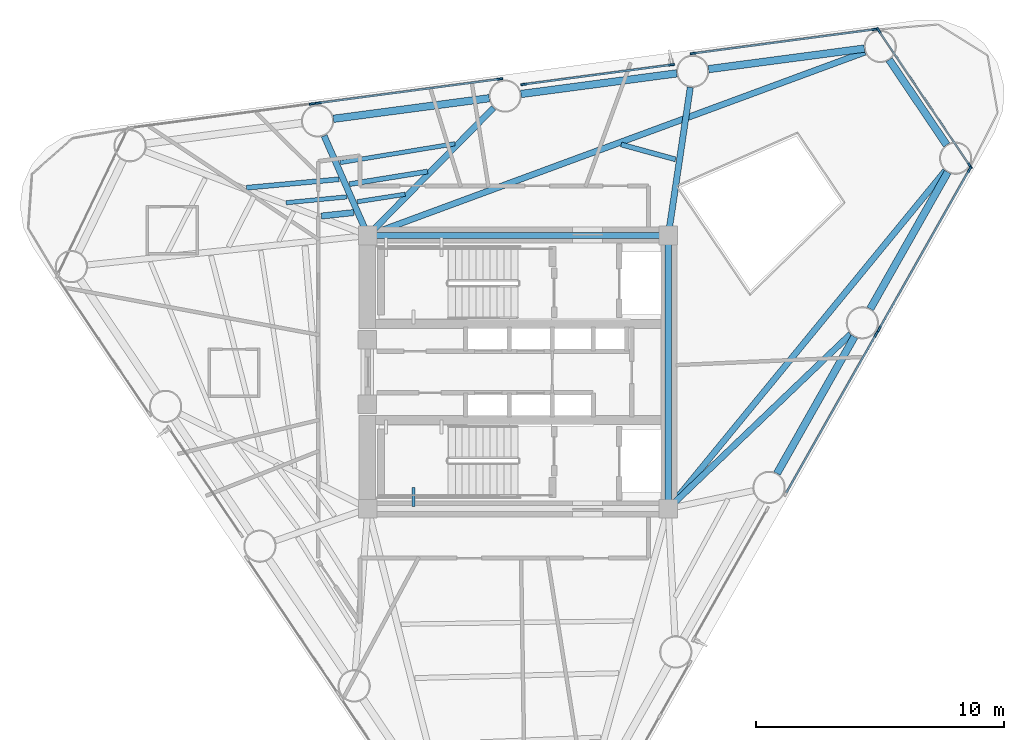
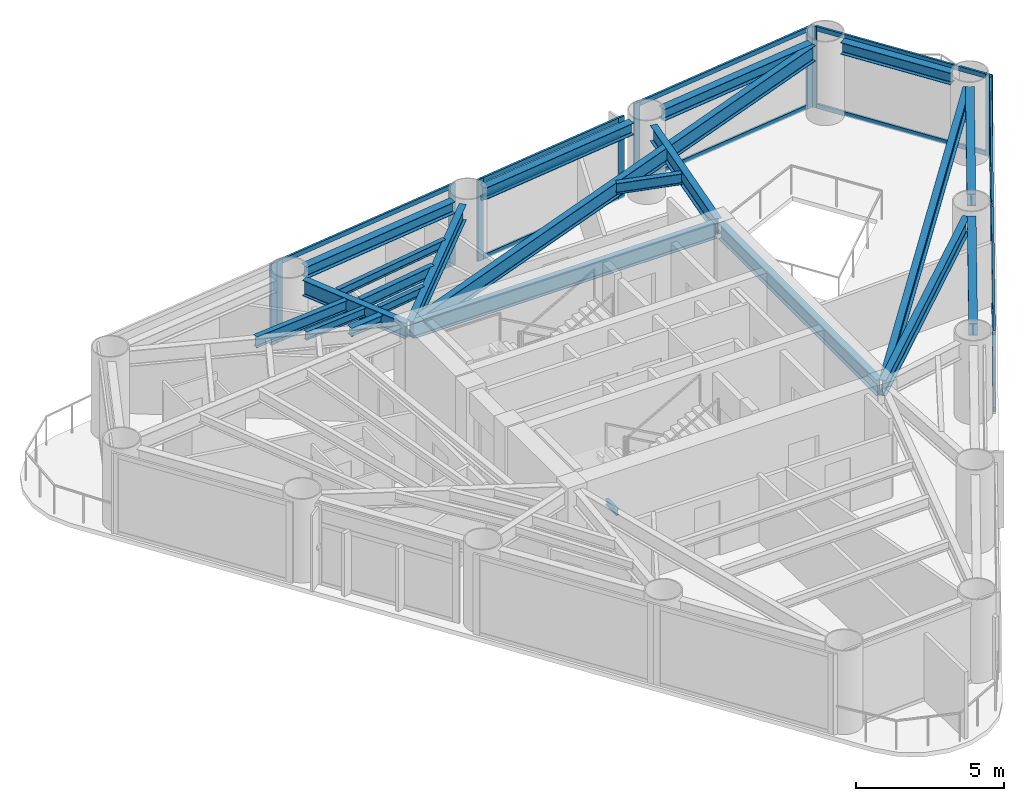
# One storey, part 3 of 9: 25 members, 22 beams, 7 elements without a shape of their own.
"""IFC4 building model written with IfcOpenShell, lengths in metres."""

from ifc_helpers import new_model, si_unit, direction, frame, origin, origin_2d, place, context, subcontext, project, spatial, rectangle, i_section, extrude, source, transform, mapped, material, layer, layer_set, material_profile, profile_set, type_object, element, aggregate, save


model = new_model("IFC4")

# Units and contexts
model_context = context("Model", 3, precision=1e-05, world=origin(), true_north=direction((0.0, 1.0)))
body_context = subcontext(model_context, "Body", "Model", "MODEL_VIEW")
ifc_project = project(units=[si_unit("LENGTHUNIT", "METRE"), si_unit("AREAUNIT", "SQUARE_METRE"), si_unit("VOLUMEUNIT", "CUBIC_METRE"), si_unit("PLANEANGLEUNIT", "RADIAN"), si_unit("MASSUNIT", "GRAM", prefix="KILO")], contexts=[model_context])

# Site, building, storey
site_placement = place(None, origin())
site = spatial("IfcSite", under=ifc_project, at=site_placement, CompositionType="ELEMENT")
building_placement = place(site_placement, origin())
building = spatial("IfcBuilding", under=site, at=building_placement, Name="Yunling Apex Tower", CompositionType="ELEMENT")
storey_placement = place(building_placement, frame((0.0, 0.0, 165.64990234375)))
storey = spatial("IfcBuildingStorey", under=building, at=storey_placement, Name="L40", CompositionType="ELEMENT", Elevation=165.64990234375)

# Beams
ifc_material_1 = material(Name="Steel Q355B", Category="steel")
ifc_material_profile_1 = material_profile(ifc_material_1, i_section(OverallWidth=0.125, OverallDepth=0.25, WebThickness=0.006103515625, FlangeThickness=0.009033203125, FilletRadius=0.011962890625, at=origin_2d()))
ifc_profile_set_1 = profile_set([ifc_material_profile_1], Name="Steel Q355B")
beam_type_1 = type_object("IfcBeamType", Name="BL-LNT-1", PredefinedType="LINTEL", material=ifc_profile_set_1)
shared_shape_1 = source(origin(), body_context, "Body", "SweptSolid", [
    extrude(i_section(OverallWidth=0.125, OverallDepth=0.25, WebThickness=0.006103515625, FlangeThickness=0.009033203125, FilletRadius=0.011962890625, at=origin_2d()), origin(), (0.0, 0.0, 1.0), 0.760009765625),
])
beam_1_placement = place(storey_placement, frame((-4.205078125, -5.419921875, 1.405029296875), z_axis=(0.0, 1.0, 0.0), x_axis=(-1.0, 0.0, 0.0)))
element("IfcBeam", 1, at=beam_1_placement, inside=storey, type_object=beam_type_1, Name="L40 ST-2 Landing Bearing Corbel 1-3", PredefinedType="LINTEL", context=body_context, shape_type="MappedRepresentation", body=[
    mapped(shared_shape_1, transform((0.0, 0.0, 0.0), scale=1.0)),
])
ifc_material_profile_2 = material_profile(ifc_material_1, i_section(OverallWidth=0.25, OverallDepth=0.64990234375, WebThickness=0.011962890625, FlangeThickness=0.02001953125, FilletRadius=0.02392578125, at=origin_2d()))
ifc_profile_set_2 = profile_set([ifc_material_profile_2], Name="Steel Q355B")
beam_type_2 = type_object("IfcBeamType", Name="BG-PRI-4", PredefinedType="USERDEFINED", material=ifc_profile_set_2)
shared_shape_2 = source(origin(), body_context, "Body", "SweptSolid", [
    extrude(i_section(OverallWidth=0.25, OverallDepth=0.64990234375, WebThickness=0.011962890625, FlangeThickness=0.02001953125, FilletRadius=0.02392578125, at=origin_2d()), origin(), (0.0, 0.0, 1.0), 11.7998046875),
])
beam_2_placement = place(storey_placement, frame((5.89990234375, 5.5, 2.945068359375), z_axis=(-1.0, 0.0, 0.0), x_axis=(0.0, -1.0, 0.0)))
element("IfcBeam", 2, at=beam_2_placement, inside=storey, type_object=beam_type_2, Name="L40 Core Ring Tie Beam 3", ObjectType="GIRDER", PredefinedType="USERDEFINED", context=body_context, shape_type="MappedRepresentation", body=[
    mapped(shared_shape_2, transform((0.0, 0.0, 0.0), scale=1.0)),
])
shared_shape_3 = source(origin(), body_context, "Body", "SweptSolid", [
    extrude(i_section(OverallWidth=0.25, OverallDepth=0.64990234375, WebThickness=0.011962890625, FlangeThickness=0.02001953125, FilletRadius=0.02392578125, at=origin_2d()), origin(), (0.0, 0.0, 1.0), 10.7001953125),
])
beam_3_placement = place(storey_placement, frame((6.050048828125, -5.35009765625, 2.945068359375), z_axis=(0.0, 1.0, 0.0), x_axis=(-1.0, 0.0, 0.0)))
element("IfcBeam", 3, at=beam_3_placement, inside=storey, type_object=beam_type_2, Name="L40 Core Ring Tie Beam 2", ObjectType="GIRDER", PredefinedType="USERDEFINED", context=body_context, shape_type="MappedRepresentation", body=[
    mapped(shared_shape_3, transform((0.0, 0.0, 0.0), scale=1.0)),
])
ifc_material_profile_3 = material_profile(ifc_material_1, i_section(OverallWidth=0.300048828125, OverallDepth=0.489990234375, WebThickness=0.010986328125, FlangeThickness=0.01806640625, FilletRadius=0.02197265625, at=origin_2d()))
ifc_profile_set_3 = profile_set([ifc_material_profile_3], Name="Steel Q355B")
beam_type_3 = type_object("IfcBeamType", Name="BP-SPN-2", PredefinedType="SPANDREL", material=ifc_profile_set_3)
shared_shape_4 = source(origin(), body_context, "Body", "SweptSolid", [
    extrude(i_section(OverallWidth=0.300048828125, OverallDepth=0.489990234375, WebThickness=0.010986328125, FlangeThickness=0.01806640625, FilletRadius=0.02197265625, at=origin_2d()), origin(), (0.0, 0.0, 1.0), 6.332763671875),
])
beam_4_placement = place(storey_placement, frame((10.426513671875, -4.087646484375, 3.025146484375), z_axis=(0.493042725972, 0.870005097897, 0.0), x_axis=(-0.870005097897, 0.493042725972, 0.0)))
element("IfcBeam", 4, at=beam_4_placement, inside=storey, type_object=beam_type_3, Name="L40 Perimeter Spandrel Beam 3", PredefinedType="SPANDREL", context=body_context, shape_type="MappedRepresentation", body=[
    mapped(shared_shape_4, transform((0.0, 0.0, 0.0), scale=1.0)),
])
shared_shape_5 = source(origin(), body_context, "Body", "SweptSolid", [
    extrude(i_section(OverallWidth=0.300048828125, OverallDepth=0.489990234375, WebThickness=0.010986328125, FlangeThickness=0.01806640625, FilletRadius=0.02197265625, at=origin_2d()), origin(), (0.0, 0.0, 1.0), 6.33251953125),
])
for number, where, z_axis, x_axis, name in (
    (5, (14.183837890625, 2.54248046875, 3.025146484375), (0.493030081742, 0.870012263418, 0.0), (-0.870012263418, 0.493030081742, 0.0), "L40 Perimeter Spandrel Beam 4"),
    (6, (13.948486328125, 13.029541015625, 3.025146484375), (-0.991351373324, -0.131234349957, 0.0), (0.131234349957, -0.991351373324, 0.0), "L40 Perimeter Spandrel Beam 6"),
    (7, (6.393798828125, 12.029541015625, 3.025146484375), (-0.991351373324, -0.131234349957, 0.0), (0.131234349957, -0.991351373324, 0.0), "L40 Perimeter Spandrel Beam 7"),
    (8, (-1.160888671875, 11.029541015625, 3.025146484375), (-0.991356388343, -0.131196460665, 0.0), (0.131196460665, -0.991356388343, 0.0), "L40 Perimeter Spandrel Beam 8"),
):
    element("IfcBeam", number, at=place(storey_placement, frame(where, z_axis=z_axis, x_axis=x_axis)), inside=storey, type_object=beam_type_3, Name=name, PredefinedType="SPANDREL", context=body_context, shape_type="MappedRepresentation", body=[
        mapped(shared_shape_5, transform((0.0, 0.0, 0.0), scale=1.0)),
    ])
shared_shape_6 = source(origin(), body_context, "Body", "SweptSolid", [
    extrude(i_section(OverallWidth=0.300048828125, OverallDepth=0.489990234375, WebThickness=0.010986328125, FlangeThickness=0.01806640625, FilletRadius=0.02197265625, at=origin_2d()), origin(), (0.0, 0.0, 1.0), 4.142333984375),
])
beam_5_placement = place(storey_placement, frame((17.263427734375, 9.14599609375, 3.025146484375), z_axis=(-0.559207616177, 0.829027648519, 0.0), x_axis=(-0.829027648519, -0.559207616177, 0.0)))
element("IfcBeam", 9, at=beam_5_placement, inside=storey, type_object=beam_type_3, Name="L40 Perimeter Spandrel Beam 5", PredefinedType="SPANDREL", context=body_context, shape_type="MappedRepresentation", body=[
    mapped(shared_shape_6, transform((0.0, 0.0, 0.0), scale=1.0)),
])
shared_shape_7 = source(origin(), body_context, "Body", "SweptSolid", [
    extrude(i_section(OverallWidth=0.25, OverallDepth=0.64990234375, WebThickness=0.011962890625, FlangeThickness=0.02001953125, FilletRadius=0.02392578125, at=origin_2d()), origin(), (0.0, 0.0, 1.0), 10.08203125),
])
beam_6_placement = place(storey_placement, frame((13.39111328125, 1.527099609375, 2.945068359375), z_axis=(-0.722387273854, -0.691488703143, 0.0), x_axis=(0.691488703143, -0.722387273854, 0.0)))
element("IfcBeam", 10, at=beam_6_placement, inside=storey, type_object=beam_type_2, Name="L40 Radial Primary Girder R04", ObjectType="GIRDER", PredefinedType="USERDEFINED", context=body_context, shape_type="MappedRepresentation", body=[
    mapped(shared_shape_7, transform((0.0, 0.0, 0.0), scale=1.0)),
])
shared_shape_8 = source(origin(), body_context, "Body", "SweptSolid", [
    extrude(i_section(OverallWidth=0.25, OverallDepth=0.64990234375, WebThickness=0.011962890625, FlangeThickness=0.02001953125, FilletRadius=0.02392578125, at=origin_2d()), origin(), (0.0, 0.0, 1.0), 17.512939453125),
])
beam_7_placement = place(storey_placement, frame((17.206298828125, 8.103271484375, 2.945068359375), z_axis=(-0.634143770781, -0.773215156331, 0.0), x_axis=(0.773215156331, -0.634143770781, 0.0)))
element("IfcBeam", 11, at=beam_7_placement, inside=storey, type_object=beam_type_2, Name="L40 Radial Primary Girder R05", ObjectType="GIRDER", PredefinedType="USERDEFINED", context=body_context, shape_type="MappedRepresentation", body=[
    mapped(shared_shape_8, transform((0.0, 0.0, 0.0), scale=1.0)),
])
shared_shape_9 = source(origin(), body_context, "Body", "SweptSolid", [
    extrude(i_section(OverallWidth=0.25, OverallDepth=0.64990234375, WebThickness=0.011962890625, FlangeThickness=0.02001953125, FilletRadius=0.02392578125, at=origin_2d()), origin(), (0.0, 0.0, 1.0), 21.258544921875),
])
beam_8_placement = place(storey_placement, frame((13.969482421875, 12.88623046875, 2.945068359375), z_axis=(-0.938179289615, -0.346149708274, 0.0), x_axis=(0.346149708274, -0.938179289615, 0.0)))
element("IfcBeam", 12, at=beam_8_placement, inside=storey, type_object=beam_type_2, Name="L40 Radial Primary Girder R06", ObjectType="GIRDER", PredefinedType="USERDEFINED", context=body_context, shape_type="MappedRepresentation", body=[
    mapped(shared_shape_9, transform((0.0, 0.0, 0.0), scale=1.0)),
])
shared_shape_10 = source(origin(), body_context, "Body", "SweptSolid", [
    extrude(i_section(OverallWidth=0.25, OverallDepth=0.64990234375, WebThickness=0.011962890625, FlangeThickness=0.02001953125, FilletRadius=0.02392578125, at=origin_2d()), origin(), (0.0, 0.0, 1.0), 5.948486328125),
])
beam_9_placement = place(storey_placement, frame((6.935546875, 11.463134765625, 2.945068359375), z_axis=(-0.146889273353, -0.989152941346, 0.0), x_axis=(0.989152941346, -0.146889273353, 0.0)))
element("IfcBeam", 13, at=beam_9_placement, inside=storey, type_object=beam_type_2, Name="L40 Radial Primary Girder R07", ObjectType="GIRDER", PredefinedType="USERDEFINED", context=body_context, shape_type="MappedRepresentation", body=[
    mapped(shared_shape_10, transform((0.0, 0.0, 0.0), scale=1.0)),
])
shared_shape_11 = source(origin(), body_context, "Body", "SweptSolid", [
    extrude(i_section(OverallWidth=0.25, OverallDepth=0.64990234375, WebThickness=0.011962890625, FlangeThickness=0.02001953125, FilletRadius=0.02392578125, at=origin_2d()), origin(), (0.0, 0.0, 1.0), 7.140625),
])
beam_10_placement = place(storey_placement, frame((-0.984130859375, 10.645263671875, 2.945068359375), z_axis=(-0.701580749748, -0.712589960344, 0.0), x_axis=(0.712589960344, -0.701580749748, 0.0)))
element("IfcBeam", 14, at=beam_10_placement, inside=storey, type_object=beam_type_2, Name="L40 Radial Primary Girder R08", ObjectType="GIRDER", PredefinedType="USERDEFINED", context=body_context, shape_type="MappedRepresentation", body=[
    mapped(shared_shape_11, transform((0.0, 0.0, 0.0), scale=1.0)),
])
shared_shape_12 = source(origin(), body_context, "Body", "SweptSolid", [
    extrude(i_section(OverallWidth=0.25, OverallDepth=0.64990234375, WebThickness=0.011962890625, FlangeThickness=0.02001953125, FilletRadius=0.02392578125, at=origin_2d()), origin(), (0.0, 0.0, 1.0), 4.3017578125),
])
beam_11_placement = place(storey_placement, frame((-7.8125, 9.51171875, 2.945068359375), z_axis=(0.402211714237, -0.915546687466, 0.0), x_axis=(0.915546687466, 0.402211714237, 0.0)))
element("IfcBeam", 15, at=beam_11_placement, inside=storey, type_object=beam_type_2, Name="L40 Radial Primary Girder R09", ObjectType="GIRDER", PredefinedType="USERDEFINED", context=body_context, shape_type="MappedRepresentation", body=[
    mapped(shared_shape_12, transform((0.0, 0.0, 0.0), scale=1.0)),
])
ifc_material_profile_4 = material_profile(ifc_material_1, i_section(OverallWidth=0.199951171875, OverallDepth=0.449951171875, WebThickness=0.009033203125, FlangeThickness=0.013916015625, FilletRadius=0.01806640625, at=origin_2d()))
ifc_profile_set_4 = profile_set([ifc_material_profile_4], Name="Steel Q355B")
beam_type_4 = type_object("IfcBeamType", Name="BS-SEC-3", PredefinedType="BEAM", material=ifc_profile_set_4)
shared_shape_13 = source(origin(), body_context, "Body", "SweptSolid", [
    extrude(i_section(OverallWidth=0.199951171875, OverallDepth=0.449951171875, WebThickness=0.009033203125, FlangeThickness=0.013916015625, FilletRadius=0.01806640625, at=origin_2d()), origin(), (0.0, 0.0, 1.0), 2.2734375),
])
beam_12_placement = place(storey_placement, frame((4.151611328125, 9.16455078125, 3.045166015625), z_axis=(0.964418538673, -0.264380185081, 0.0), x_axis=(0.264380185081, 0.964418538673, 0.0)))
element("IfcBeam", 16, at=beam_12_placement, inside=storey, type_object=beam_type_4, Name="L40 Composite Floor Beam BS-6", PredefinedType="BEAM", context=body_context, shape_type="MappedRepresentation", body=[
    mapped(shared_shape_13, transform((0.0, 0.0, 0.0), scale=1.0)),
])
shared_shape_14 = source(origin(), body_context, "Body", "SweptSolid", [
    extrude(i_section(OverallWidth=0.199951171875, OverallDepth=0.449951171875, WebThickness=0.009033203125, FlangeThickness=0.013916015625, FilletRadius=0.01806640625, at=origin_2d()), origin(), (0.0, 0.0, 1.0), 3.18310546875),
])
beam_13_placement = place(storey_placement, frame((-3.64697265625, 8.07568359375, 3.045166015625), z_axis=(-0.987204533881, -0.159459111642, 0.0), x_axis=(0.159459111642, -0.987204533881, 0.0)))
element("IfcBeam", 17, at=beam_13_placement, inside=storey, type_object=beam_type_4, Name="L40 Composite Floor Beam BS-8", PredefinedType="BEAM", context=body_context, shape_type="MappedRepresentation", body=[
    mapped(shared_shape_14, transform((0.0, 0.0, 0.0), scale=1.0)),
])
ifc_material_profile_5 = material_profile(ifc_material_1, i_section(OverallWidth=0.175048828125, OverallDepth=0.35009765625, WebThickness=0.007080078125, FlangeThickness=0.010986328125, FilletRadius=0.013916015625, at=origin_2d()))
ifc_profile_set_5 = profile_set([ifc_material_profile_5], Name="Steel Q355B")
beam_type_5 = type_object("IfcBeamType", Name="BJ-JST-1", PredefinedType="JOIST", material=ifc_profile_set_5)
shared_shape_15 = source(origin(), body_context, "Body", "SweptSolid", [
    extrude(i_section(OverallWidth=0.175048828125, OverallDepth=0.35009765625, WebThickness=0.007080078125, FlangeThickness=0.010986328125, FilletRadius=0.013916015625, at=origin_2d()), origin(), (0.0, 0.0, 1.0), 4.6875),
])
beam_14_placement = place(storey_placement, frame((-2.544677734375, 9.194580078125, 3.09521484375), z_axis=(-0.986776909696, -0.162084331414, 0.0), x_axis=(0.162084331414, -0.986776909696, 0.0)))
element("IfcBeam", 18, at=beam_14_placement, inside=storey, type_object=beam_type_5, Name="L40 Composite Floor Joist BJ1-8", PredefinedType="JOIST", context=body_context, shape_type="MappedRepresentation", body=[
    mapped(shared_shape_15, transform((0.0, 0.0, 0.0), scale=1.0)),
])
shared_shape_16 = source(origin(), body_context, "Body", "SweptSolid", [
    extrude(i_section(OverallWidth=0.175048828125, OverallDepth=0.35009765625, WebThickness=0.007080078125, FlangeThickness=0.010986328125, FilletRadius=0.013916015625, at=origin_2d()), origin(), (0.0, 0.0, 1.0), 1.952392578125),
])
beam_15_placement = place(storey_placement, frame((-4.548828125, 7.160400390625, 3.09521484375), z_axis=(-0.98796490296, -0.154678216044, 0.0), x_axis=(0.154678216044, -0.98796490296, 0.0)))
element("IfcBeam", 19, at=beam_15_placement, inside=storey, type_object=beam_type_5, Name="L40 Composite Floor Joist BJ3-8", PredefinedType="JOIST", context=body_context, shape_type="MappedRepresentation", body=[
    mapped(shared_shape_16, transform((0.0, 0.0, 0.0), scale=1.0)),
])
shared_shape_17 = source(origin(), body_context, "Body", "SweptSolid", [
    extrude(i_section(OverallWidth=0.199951171875, OverallDepth=0.449951171875, WebThickness=0.009033203125, FlangeThickness=0.013916015625, FilletRadius=0.01806640625, at=origin_2d()), origin(), (0.0, 0.0, 1.0), 3.749755859375),
])
beam_16_placement = place(storey_placement, frame((-7.21044921875, 7.76416015625, 3.045166015625), z_axis=(-0.995801444966, -0.091539511711, 0.0), x_axis=(0.091539511711, -0.995801444966, 0.0)))
element("IfcBeam", 20, at=beam_16_placement, inside=storey, type_object=beam_type_4, Name="L40 Composite Floor Beam BS-9", PredefinedType="BEAM", context=body_context, shape_type="MappedRepresentation", body=[
    mapped(shared_shape_17, transform((0.0, 0.0, 0.0), scale=1.0)),
])
shared_shape_18 = source(origin(), body_context, "Body", "SweptSolid", [
    extrude(i_section(OverallWidth=0.175048828125, OverallDepth=0.35009765625, WebThickness=0.007080078125, FlangeThickness=0.010986328125, FilletRadius=0.013916015625, at=origin_2d()), origin(), (0.0, 0.0, 1.0), 2.456787109375),
])
beam_17_placement = place(storey_placement, frame((-6.89892578125, 7.054443359375, 3.09521484375), z_axis=(-0.995362299538, -0.096197155147, 0.0), x_axis=(0.096197155147, -0.995362299538, 0.0)))
element("IfcBeam", 21, at=beam_17_placement, inside=storey, type_object=beam_type_5, Name="L40 Composite Floor Joist BJ3-9", PredefinedType="JOIST", context=body_context, shape_type="MappedRepresentation", body=[
    mapped(shared_shape_18, transform((0.0, 0.0, 0.0), scale=1.0)),
])
ifc_material_profile_6 = material_profile(ifc_material_1, i_section(OverallWidth=0.25, OverallDepth=0.340087890625, WebThickness=0.009033203125, FlangeThickness=0.013916015625, FilletRadius=0.01806640625, at=origin_2d()))
ifc_profile_set_6 = profile_set([ifc_material_profile_6], Name="Steel Q355B")
beam_type_6 = type_object("IfcBeamType", Name="BJ-JST-2", PredefinedType="JOIST", material=ifc_profile_set_6)
shared_shape_19 = source(origin(), body_context, "Body", "SweptSolid", [
    extrude(i_section(OverallWidth=0.25, OverallDepth=0.340087890625, WebThickness=0.009033203125, FlangeThickness=0.013916015625, FilletRadius=0.01806640625, at=origin_2d()), origin(), (0.0, 0.0, 1.0), 1.307373046875),
])
beam_18_placement = place(storey_placement, frame((-6.6220703125, 6.422607421875, 3.10009765625), z_axis=(-0.994297843948, -0.106638630521, 0.0), x_axis=(0.106638630521, -0.994297843948, 0.0)))
element("IfcBeam", 22, at=beam_18_placement, inside=storey, type_object=beam_type_6, Name="L40 Composite Floor Joist BJ2-9", PredefinedType="JOIST", context=body_context, shape_type="MappedRepresentation", body=[
    mapped(shared_shape_19, transform((0.0, 0.0, 0.0), scale=1.0)),
])

# Curtain wall, member
ifc_material_2 = material(Name="Bronze anodised aluminium", Category="aluminium")
ifc_layer = layer(ifc_material_2, 0.239990234375)
ifc_layer_set = layer_set([ifc_layer], Name="Bronze anodised aluminium")
curtain_wall_type = type_object("IfcCurtainWallType", Name="CW-SYS-3", PredefinedType="NOTDEFINED", material=ifc_layer_set)
curtain_wall_1_placement = place(storey_placement, origin())
curtain_wall_1 = element("IfcCurtainWall", 23, at=curtain_wall_1_placement, inside=storey, type_object=curtain_wall_type, Name="CW-L40-F1-B3", PredefinedType="NOTDEFINED")
ifc_material_profile_7 = material_profile(ifc_material_2, rectangle(XDim=0.080078125, YDim=0.239990234375, at=origin_2d()))
ifc_profile_set_7 = profile_set([ifc_material_profile_7], Name="Bronze anodised aluminium")
member_type_1 = type_object("IfcMemberType", Name="CW-MUL-3", PredefinedType="MULLION", material=ifc_profile_set_7)
shared_shape_20 = source(origin(), body_context, "Body", "SweptSolid", [
    extrude(rectangle(XDim=0.080078125, YDim=0.239990234375, at=origin_2d()), origin(), (0.0, 0.0, 1.0), 3.369873046875),
])
member_1_placement = place(storey_placement, frame((14.4248046875, 1.527587890625, -0.0498046875), z_axis=(0.0, 0.0, 1.0), x_axis=(-0.870009345679, 0.493035230416, 0.0)))
member_1 = element("IfcMember", 24, at=member_1_placement, type_object=member_type_1, Name="CW-SYS-3 mullion 2", PredefinedType="MULLION", context=body_context, shape_type="MappedRepresentation", body=[
    mapped(shared_shape_20, transform((0.0, 0.0, 0.0), scale=1.0)),
])

# Curtain wall, members
curtain_wall_2_placement = place(storey_placement, origin())
curtain_wall_2 = element("IfcCurtainWall", 25, at=curtain_wall_2_placement, inside=storey, type_object=curtain_wall_type, Name="CW-L40-F1-B4", PredefinedType="NOTDEFINED")
member_2_placement = place(storey_placement, frame((14.543212890625, 1.736572265625, -0.0498046875), z_axis=(0.0, 0.0, 1.0), x_axis=(-0.870006087438, 0.493040979859, 0.0)))
member_2 = element("IfcMember", 26, at=member_2_placement, type_object=member_type_1, Name="CW-SYS-3 mullion 1", PredefinedType="MULLION", context=body_context, shape_type="MappedRepresentation", body=[
    mapped(shared_shape_20, transform((0.0, 0.0, 0.0), scale=1.0)),
])
member_3_placement = place(storey_placement, frame((18.18212890625, 8.15771484375, -0.0498046875), z_axis=(0.0, 0.0, 1.0), x_axis=(-0.870006087438, 0.493040979859, 0.0)))
member_3 = element("IfcMember", 27, at=member_3_placement, type_object=member_type_1, Name="CW-SYS-3 mullion 2", PredefinedType="MULLION", context=body_context, shape_type="MappedRepresentation", body=[
    mapped(shared_shape_20, transform((0.0, 0.0, 0.0), scale=1.0)),
])

curtain_wall_3_placement = place(storey_placement, origin())
curtain_wall_3 = element("IfcCurtainWall", 28, at=curtain_wall_3_placement, inside=storey, type_object=curtain_wall_type, Name="CW-L40-CRN1", PredefinedType="NOTDEFINED")
member_4_placement = place(storey_placement, frame((18.201416015625, 8.30517578125, -0.0498046875), z_axis=(0.0, 0.0, 1.0), x_axis=(-0.829037677921, -0.559192747259, 0.0)))
member_4 = element("IfcMember", 29, at=member_4_placement, type_object=member_type_1, Name="CW-SYS-3 mullion 1", PredefinedType="MULLION", context=body_context, shape_type="MappedRepresentation", body=[
    mapped(shared_shape_20, transform((0.0, 0.0, 0.0), scale=1.0)),
])
member_5_placement = place(storey_placement, frame((14.518798828125, 13.764892578125, -0.0498046875), z_axis=(0.0, 0.0, 1.0), x_axis=(-0.829037677921, -0.559192747259, 0.0)))
member_5 = element("IfcMember", 30, at=member_5_placement, type_object=member_type_1, Name="CW-SYS-3 mullion 2", PredefinedType="MULLION", context=body_context, shape_type="MappedRepresentation", body=[
    mapped(shared_shape_20, transform((0.0, 0.0, 0.0), scale=1.0)),
])

curtain_wall_4_placement = place(storey_placement, origin())
curtain_wall_4 = element("IfcCurtainWall", 31, at=curtain_wall_4_placement, inside=storey, type_object=curtain_wall_type, Name="CW-L40-F2-B1", PredefinedType="NOTDEFINED")
member_6_placement = place(storey_placement, frame((14.374755859375, 13.80224609375, -0.0498046875), z_axis=(0.0, 0.0, 1.0), x_axis=(0.131222473138, -0.991352945496, 0.0)))
member_6 = element("IfcMember", 32, at=member_6_placement, type_object=member_type_1, Name="CW-SYS-3 mullion 1", PredefinedType="MULLION", context=body_context, shape_type="MappedRepresentation", body=[
    mapped(shared_shape_20, transform((0.0, 0.0, 0.0), scale=1.0)),
])
member_7_placement = place(storey_placement, frame((7.05810546875, 12.833740234375, -0.0498046875), z_axis=(0.0, 0.0, 1.0), x_axis=(0.131222473138, -0.991352945496, 0.0)))
member_7 = element("IfcMember", 33, at=member_7_placement, type_object=member_type_1, Name="CW-SYS-3 mullion 2", PredefinedType="MULLION", context=body_context, shape_type="MappedRepresentation", body=[
    mapped(shared_shape_20, transform((0.0, 0.0, 0.0), scale=1.0)),
])

curtain_wall_5_placement = place(storey_placement, origin())
curtain_wall_5 = element("IfcCurtainWall", 34, at=curtain_wall_5_placement, inside=storey, type_object=curtain_wall_type, Name="CW-L40-F2-B2", PredefinedType="NOTDEFINED")
member_8_placement = place(storey_placement, frame((6.1806640625, 12.37451171875, -0.0498046875), z_axis=(0.0, 0.0, 1.0), x_axis=(0.131204916036, -0.99135526932, 0.0)))
member_8 = element("IfcMember", 35, at=member_8_placement, type_object=member_type_1, Name="CW-SYS-3 mullion 1", PredefinedType="MULLION", context=body_context, shape_type="MappedRepresentation", body=[
    mapped(shared_shape_20, transform((0.0, 0.0, 0.0), scale=1.0)),
])
member_9_placement = place(storey_placement, frame((0.23193359375, 11.587158203125, -0.0498046875), z_axis=(0.0, 0.0, 1.0), x_axis=(0.131204916036, -0.99135526932, 0.0)))
member_9 = element("IfcMember", 36, at=member_9_placement, type_object=member_type_1, Name="CW-SYS-3 mullion 2", PredefinedType="MULLION", context=body_context, shape_type="MappedRepresentation", body=[
    mapped(shared_shape_20, transform((0.0, 0.0, 0.0), scale=1.0)),
])

curtain_wall_6_placement = place(storey_placement, origin())
curtain_wall_6 = element("IfcCurtainWall", 37, at=curtain_wall_6_placement, inside=storey, type_object=curtain_wall_type, Name="CW-L40-F2-B3", PredefinedType="NOTDEFINED")
member_10_placement = place(storey_placement, frame((-0.734619140625, 11.80224609375, -0.0498046875), z_axis=(0.0, 0.0, 1.0), x_axis=(0.13120930019, -0.991354689071, 0.0)))
member_10 = element("IfcMember", 38, at=member_10_placement, type_object=member_type_1, Name="CW-SYS-3 mullion 1", PredefinedType="MULLION", context=body_context, shape_type="MappedRepresentation", body=[
    mapped(shared_shape_20, transform((0.0, 0.0, 0.0), scale=1.0)),
])
member_11_placement = place(storey_placement, frame((-8.05126953125, 10.833740234375, -0.0498046875), z_axis=(0.0, 0.0, 1.0), x_axis=(0.13120930019, -0.991354689071, 0.0)))
member_11 = element("IfcMember", 39, at=member_11_placement, type_object=member_type_1, Name="CW-SYS-3 mullion 2", PredefinedType="MULLION", context=body_context, shape_type="MappedRepresentation", body=[
    mapped(shared_shape_20, transform((0.0, 0.0, 0.0), scale=1.0)),
])

# Curtain wall, member
curtain_wall_7_placement = place(storey_placement, origin())
curtain_wall_7 = element("IfcCurtainWall", 40, at=curtain_wall_7_placement, inside=storey, type_object=curtain_wall_type, Name="CW-L40-F2-B4", PredefinedType="NOTDEFINED")
member_12_placement = place(storey_placement, frame((-8.289306640625, 10.80224609375, -0.0498046875), z_axis=(0.0, 0.0, 1.0), x_axis=(0.131222473138, -0.991352945496, 0.0)))
member_12 = element("IfcMember", 41, at=member_12_placement, type_object=member_type_1, Name="CW-SYS-3 mullion 1", PredefinedType="MULLION", context=body_context, shape_type="MappedRepresentation", body=[
    mapped(shared_shape_20, transform((0.0, 0.0, 0.0), scale=1.0)),
])
aggregate(curtain_wall_7, [member_12])

# Member
ifc_material_profile_8 = material_profile(ifc_material_2, rectangle(XDim=0.080078125, YDim=0.18505859375, at=origin_2d()))
ifc_profile_set_8 = profile_set([ifc_material_profile_8], Name="Bronze anodised aluminium")
member_type_2 = type_object("IfcMemberType", Name="CW-TRN-3", PredefinedType="USERDEFINED", material=ifc_profile_set_8)
shared_shape_21 = source(origin(), body_context, "Body", "SweptSolid", [
    extrude(rectangle(XDim=0.080078125, YDim=0.18505859375, at=origin_2d()), origin(), (0.0, 0.0, 1.0), 5.9287109375),
])
member_13_placement = place(storey_placement, frame((6.14501953125, 12.369873046875, 0.0400390625), z_axis=(-0.991356183804, -0.131198006214, 0.0), x_axis=(0.131198006214, -0.991356183804, 0.0)))
member_13 = element("IfcMember", 42, at=member_13_placement, type_object=member_type_2, Name="CW-SYS-3 transom 1.1", ObjectType="TRANSOM", PredefinedType="USERDEFINED", context=body_context, shape_type="MappedRepresentation", body=[
    mapped(shared_shape_21, transform((0.0, 0.0, 0.0), scale=1.0)),
])

member_14_placement = place(storey_placement, frame((6.14501953125, 12.369873046875, 2.4853515625), z_axis=(-0.991356183804, -0.131198006214, 0.0), x_axis=(0.131198006214, -0.991356183804, 0.0)))
member_14 = element("IfcMember", 43, at=member_14_placement, type_object=member_type_2, Name="CW-SYS-3 transom 1.2", ObjectType="TRANSOM", PredefinedType="USERDEFINED", context=body_context, shape_type="MappedRepresentation", body=[
    mapped(shared_shape_21, transform((0.0, 0.0, 0.0), scale=1.0)),
])

member_15_placement = place(storey_placement, frame((6.14501953125, 12.369873046875, 3.22998046875), z_axis=(-0.991356183804, -0.131198006214, 0.0), x_axis=(0.131198006214, -0.991356183804, 0.0)))
member_15 = element("IfcMember", 44, at=member_15_placement, type_object=member_type_2, Name="CW-SYS-3 transom 1.3", ObjectType="TRANSOM", PredefinedType="USERDEFINED", context=body_context, shape_type="MappedRepresentation", body=[
    mapped(shared_shape_21, transform((0.0, 0.0, 0.0), scale=1.0)),
])

aggregate(curtain_wall_5, [member_8, member_9, member_13, member_14, member_15])

shared_shape_22 = source(origin(), body_context, "Body", "SweptSolid", [
    extrude(rectangle(XDim=0.080078125, YDim=0.18505859375, at=origin_2d()), origin(), (0.0, 0.0, 1.0), 7.308837890625),
])
member_16_placement = place(storey_placement, frame((10.8037109375, -4.8623046875, 0.0400390625), z_axis=(0.493042070546, 0.870005469334, 0.0), x_axis=(-0.870005469334, 0.493042070546, 0.0)))
member_16 = element("IfcMember", 45, at=member_16_placement, type_object=member_type_2, Name="CW-SYS-3 transom 1.1", ObjectType="TRANSOM", PredefinedType="USERDEFINED", context=body_context, shape_type="MappedRepresentation", body=[
    mapped(shared_shape_22, transform((0.0, 0.0, 0.0), scale=1.0)),
])

member_17_placement = place(storey_placement, frame((10.8037109375, -4.8623046875, 3.22998046875), z_axis=(0.493042070546, 0.870005469334, 0.0), x_axis=(-0.870005469334, 0.493042070546, 0.0)))
member_17 = element("IfcMember", 46, at=member_17_placement, type_object=member_type_2, Name="CW-SYS-3 transom 1.2", ObjectType="TRANSOM", PredefinedType="USERDEFINED", context=body_context, shape_type="MappedRepresentation", body=[
    mapped(shared_shape_22, transform((0.0, 0.0, 0.0), scale=1.0)),
])

aggregate(curtain_wall_1, [member_1, member_16, member_17])

member_18_placement = place(storey_placement, frame((14.560791015625, 1.767822265625, 0.0400390625), z_axis=(0.493042070546, 0.870005469334, 0.0), x_axis=(-0.870005469334, 0.493042070546, 0.0)))
member_18 = element("IfcMember", 47, at=member_18_placement, type_object=member_type_2, Name="CW-SYS-3 transom 1.1", ObjectType="TRANSOM", PredefinedType="USERDEFINED", context=body_context, shape_type="MappedRepresentation", body=[
    mapped(shared_shape_22, transform((0.0, 0.0, 0.0), scale=1.0)),
])

member_19_placement = place(storey_placement, frame((14.560791015625, 1.767822265625, 3.22998046875), z_axis=(0.493042070546, 0.870005469334, 0.0), x_axis=(-0.870005469334, 0.493042070546, 0.0)))
member_19 = element("IfcMember", 48, at=member_19_placement, type_object=member_type_2, Name="CW-SYS-3 transom 1.2", ObjectType="TRANSOM", PredefinedType="USERDEFINED", context=body_context, shape_type="MappedRepresentation", body=[
    mapped(shared_shape_22, transform((0.0, 0.0, 0.0), scale=1.0)),
])

aggregate(curtain_wall_2, [member_2, member_3, member_18, member_19])

shared_shape_23 = source(origin(), body_context, "Body", "SweptSolid", [
    extrude(rectangle(XDim=0.080078125, YDim=0.18505859375, at=origin_2d()), origin(), (0.0, 0.0, 1.0), 6.513916015625),
])
member_20_placement = place(storey_placement, frame((18.181396484375, 8.3349609375, 0.0400390625), z_axis=(-0.559206971542, 0.829028083347, 0.0), x_axis=(-0.829028083347, -0.559206971542, 0.0)))
member_20 = element("IfcMember", 49, at=member_20_placement, type_object=member_type_2, Name="CW-SYS-3 transom 1.1", ObjectType="TRANSOM", PredefinedType="USERDEFINED", context=body_context, shape_type="MappedRepresentation", body=[
    mapped(shared_shape_23, transform((0.0, 0.0, 0.0), scale=1.0)),
])

member_21_placement = place(storey_placement, frame((18.181396484375, 8.3349609375, 3.22998046875), z_axis=(-0.559206971542, 0.829028083347, 0.0), x_axis=(-0.829028083347, -0.559206971542, 0.0)))
member_21 = element("IfcMember", 50, at=member_21_placement, type_object=member_type_2, Name="CW-SYS-3 transom 1.2", ObjectType="TRANSOM", PredefinedType="USERDEFINED", context=body_context, shape_type="MappedRepresentation", body=[
    mapped(shared_shape_23, transform((0.0, 0.0, 0.0), scale=1.0)),
])

aggregate(curtain_wall_3, [member_4, member_5, member_20, member_21])

shared_shape_24 = source(origin(), body_context, "Body", "SweptSolid", [
    extrude(rectangle(XDim=0.080078125, YDim=0.18505859375, at=origin_2d()), origin(), (0.0, 0.0, 1.0), 7.30859375),
])
member_22_placement = place(storey_placement, frame((14.339111328125, 13.79736328125, 0.0400390625), z_axis=(-0.991354063091, -0.131214029714, 0.0), x_axis=(0.131214029714, -0.991354063091, 0.0)))
member_22 = element("IfcMember", 51, at=member_22_placement, type_object=member_type_2, Name="CW-SYS-3 transom 1.1", ObjectType="TRANSOM", PredefinedType="USERDEFINED", context=body_context, shape_type="MappedRepresentation", body=[
    mapped(shared_shape_24, transform((0.0, 0.0, 0.0), scale=1.0)),
])

member_23_placement = place(storey_placement, frame((14.339111328125, 13.79736328125, 3.22998046875), z_axis=(-0.991354063091, -0.131214029714, 0.0), x_axis=(0.131214029714, -0.991354063091, 0.0)))
member_23 = element("IfcMember", 52, at=member_23_placement, type_object=member_type_2, Name="CW-SYS-3 transom 1.2", ObjectType="TRANSOM", PredefinedType="USERDEFINED", context=body_context, shape_type="MappedRepresentation", body=[
    mapped(shared_shape_24, transform((0.0, 0.0, 0.0), scale=1.0)),
])

aggregate(curtain_wall_4, [member_6, member_7, member_22, member_23])

member_24_placement = place(storey_placement, frame((-0.770263671875, 11.797607421875, 0.0400390625), z_axis=(-0.991354063091, -0.131214029714, 0.0), x_axis=(0.131214029714, -0.991354063091, 0.0)))
member_24 = element("IfcMember", 53, at=member_24_placement, type_object=member_type_2, Name="CW-SYS-3 transom 1.1", ObjectType="TRANSOM", PredefinedType="USERDEFINED", context=body_context, shape_type="MappedRepresentation", body=[
    mapped(shared_shape_24, transform((0.0, 0.0, 0.0), scale=1.0)),
])

member_25_placement = place(storey_placement, frame((-0.770263671875, 11.797607421875, 3.22998046875), z_axis=(-0.991354063091, -0.131214029714, 0.0), x_axis=(0.131214029714, -0.991354063091, 0.0)))
member_25 = element("IfcMember", 54, at=member_25_placement, type_object=member_type_2, Name="CW-SYS-3 transom 1.2", ObjectType="TRANSOM", PredefinedType="USERDEFINED", context=body_context, shape_type="MappedRepresentation", body=[
    mapped(shared_shape_24, transform((0.0, 0.0, 0.0), scale=1.0)),
])

aggregate(curtain_wall_6, [member_10, member_11, member_24, member_25])

save(model, "model.ifc")
